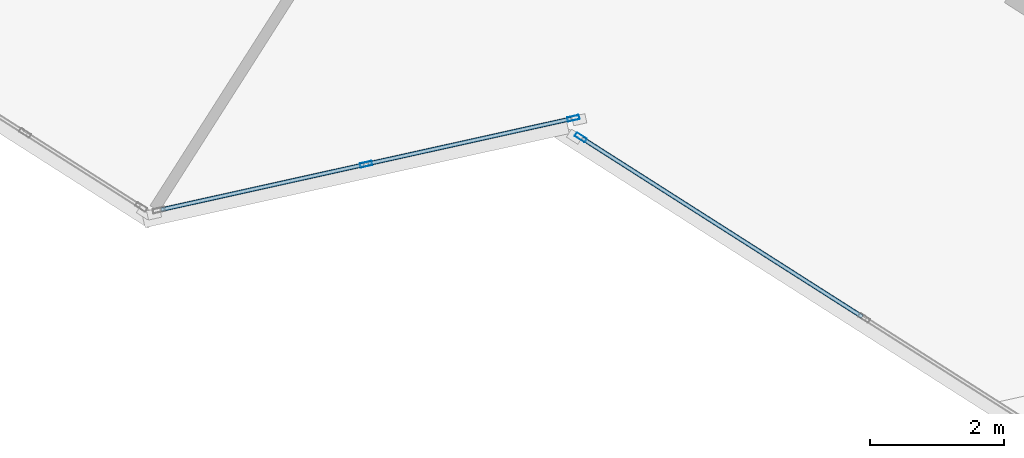
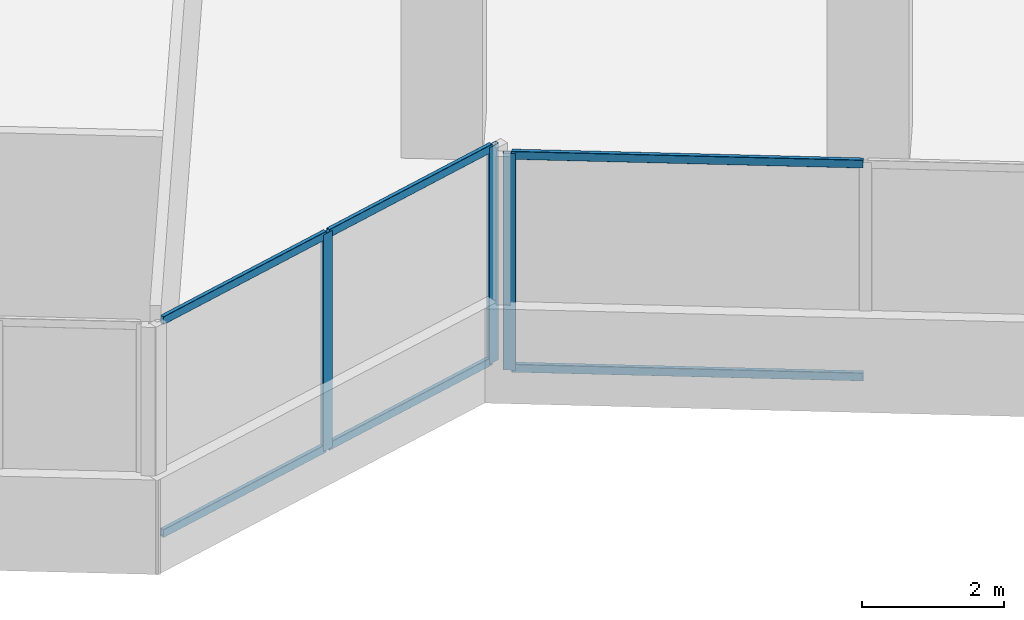
# One storey, part 4 of 23: 9 members, 2 elements without a shape of their own.
"""IFC4 building model written with IfcOpenShell, lengths in metres."""

from ifc_helpers import new_model, si_unit, direction, frame, origin, origin_2d, place, context, subcontext, project, spatial, hollow_rectangle, extrude, source, transform, mapped, material, material_profile, profile_set, type_object, element, aggregate, save


model = new_model("IFC4")

# Units and contexts
model_context = context("Model", 3, precision=1e-05, world=origin(), true_north=direction((0.0, 1.0)))
body_context = subcontext(model_context, "Body", "Model", "MODEL_VIEW")
ifc_project = project(units=[si_unit("LENGTHUNIT", "METRE"), si_unit("AREAUNIT", "SQUARE_METRE"), si_unit("VOLUMEUNIT", "CUBIC_METRE"), si_unit("PLANEANGLEUNIT", "RADIAN"), si_unit("MASSUNIT", "GRAM", prefix="KILO")], contexts=[model_context])

# Site, building, storey
site_placement = place(None, origin())
site = spatial("IfcSite", under=ifc_project, at=site_placement, CompositionType="ELEMENT")
building_placement = place(site_placement, origin())
building = spatial("IfcBuilding", under=site, at=building_placement, Name="Torre Montelarca", CompositionType="ELEMENT")
storey_placement = place(building_placement, frame((0.0, 0.0, 187.60009765625)))
storey = spatial("IfcBuildingStorey", under=building, at=storey_placement, Name="L42", CompositionType="ELEMENT", Elevation=187.60009765625)

# Curtain wall, members
ifc_material_1 = material(Name="Insulated low-E laminated glass", Category="glass")
curtain_wall_type = type_object("IfcCurtainWallType", Name="CW-SYS-Z2", PredefinedType="USERDEFINED", material=ifc_material_1)
curtain_wall_1_placement = place(storey_placement, origin())
curtain_wall_1 = element("IfcCurtainWall", 1, at=curtain_wall_1_placement, inside=storey, type_object=curtain_wall_type, Name="L42 Curtain Wall Run CW-T3-L42-E02-B1", ObjectType="UNITISED GLAZING", PredefinedType="USERDEFINED")
ifc_material_2 = material(Name="Anodised aluminium AA 6063-T6", Category="aluminium")
ifc_material_profile_1 = material_profile(ifc_material_2, hollow_rectangle(XDim=0.06494140625, YDim=0.139892578125, WallThickness=0.00390625, InnerFilletRadius=0.00390625, OuterFilletRadius=0.008056640625, at=origin_2d()), Name="ALU65X140X4", Category="aluminium")
ifc_profile_set_1 = profile_set([ifc_material_profile_1], Name="Anodised aluminium AA 6063-T6")
member_type_1 = type_object("IfcMemberType", Name="CWT-ALU140", PredefinedType="USERDEFINED", material=ifc_profile_set_1)
shared_shape_1 = source(origin(), body_context, "Body", "SweptSolid", [
    extrude(hollow_rectangle(XDim=0.06494140625, YDim=0.139892578125, WallThickness=0.00390625, InnerFilletRadius=0.00390625, OuterFilletRadius=0.008056640625, at=origin_2d()), origin(), (0.0, 0.0, 1.0), 3.1025390625),
])
member_1_placement = place(storey_placement, frame((21.111328125, 10.970458984375, 0.032470703125), z_axis=(0.976288784864, 0.216472188858, 0.0), x_axis=(-0.216472188858, 0.976288784864, 0.0)))
member_1 = element("IfcMember", 2, at=member_1_placement, type_object=member_type_1, Name="CW transom 1.1", ObjectType="TRANSOM", PredefinedType="USERDEFINED", context=body_context, shape_type="MappedRepresentation", body=[
    mapped(shared_shape_1, transform((0.0, 0.0, 0.0), scale=1.0)),
])
member_2_placement = place(storey_placement, frame((21.111328125, 10.970458984375, 3.6875), z_axis=(0.976288784864, 0.216472188858, 0.0), x_axis=(-0.216472188858, 0.976288784864, 0.0)))
member_2 = element("IfcMember", 3, at=member_2_placement, type_object=member_type_1, Name="CW transom 1.2", ObjectType="TRANSOM", PredefinedType="USERDEFINED", context=body_context, shape_type="MappedRepresentation", body=[
    mapped(shared_shape_1, transform((0.0, 0.0, 0.0), scale=1.0)),
])
member_3_placement = place(storey_placement, frame((24.20361328125, 11.65625, 0.032470703125), z_axis=(0.976305412254, 0.216397185758, 0.0), x_axis=(-0.216397185758, 0.976305412254, 0.0)))
member_3 = element("IfcMember", 4, at=member_3_placement, type_object=member_type_1, Name="CW transom 2.1", ObjectType="TRANSOM", PredefinedType="USERDEFINED", context=body_context, shape_type="MappedRepresentation", body=[
    mapped(shared_shape_1, transform((0.0, 0.0, 0.0), scale=1.0)),
])
member_4_placement = place(storey_placement, frame((24.20361328125, 11.65625, 3.6875), z_axis=(0.976305412254, 0.216397185758, 0.0), x_axis=(-0.216397185758, 0.976305412254, 0.0)))
member_4 = element("IfcMember", 5, at=member_4_placement, type_object=member_type_1, Name="CW transom 2.2", ObjectType="TRANSOM", PredefinedType="USERDEFINED", context=body_context, shape_type="MappedRepresentation", body=[
    mapped(shared_shape_1, transform((0.0, 0.0, 0.0), scale=1.0)),
])
ifc_material_profile_2 = material_profile(ifc_material_2, hollow_rectangle(XDim=0.06494140625, YDim=0.179931640625, WallThickness=0.00390625, InnerFilletRadius=0.00390625, OuterFilletRadius=0.008056640625, at=origin_2d()), Name="ALU65X180X4", Category="aluminium")
ifc_profile_set_2 = profile_set([ifc_material_profile_2], Name="Anodised aluminium AA 6063-T6")
member_type_2 = type_object("IfcMemberType", Name="CWM-ALU180", PredefinedType="MULLION", material=ifc_profile_set_2)
shared_shape_2 = source(origin(), body_context, "Body", "SweptSolid", [
    extrude(hollow_rectangle(XDim=0.06494140625, YDim=0.179931640625, WallThickness=0.00390625, InnerFilletRadius=0.00390625, OuterFilletRadius=0.008056640625, at=origin_2d()), origin(), (0.0, 0.0, 1.0), 3.719970703125),
])
member_5_placement = place(storey_placement, frame((24.172119140625, 11.649169921875, 0.0), z_axis=(0.0, 0.0, 1.0), x_axis=(-0.216434114018, 0.976297226407, 0.0)))
member_5 = element("IfcMember", 6, at=member_5_placement, type_object=member_type_2, Name="CW mullion 2", PredefinedType="MULLION", context=body_context, shape_type="MappedRepresentation", body=[
    mapped(shared_shape_2, transform((0.0, 0.0, 0.0), scale=1.0)),
])
member_6_placement = place(storey_placement, frame((27.264404296875, 12.334716796875, 0.0), z_axis=(0.0, 0.0, 1.0), x_axis=(-0.216434114018, 0.976297226407, 0.0)))
member_6 = element("IfcMember", 7, at=member_6_placement, type_object=member_type_2, Name="CW mullion 3", PredefinedType="MULLION", context=body_context, shape_type="MappedRepresentation", body=[
    mapped(shared_shape_2, transform((0.0, 0.0, 0.0), scale=1.0)),
])
aggregate(curtain_wall_1, [member_5, member_6, member_1, member_2, member_3, member_4])

curtain_wall_2_placement = place(storey_placement, origin())
curtain_wall_2 = element("IfcCurtainWall", 8, at=curtain_wall_2_placement, inside=storey, type_object=curtain_wall_type, Name="L42 Curtain Wall Run CW-T3-L42-E04-B1", ObjectType="UNITISED GLAZING", PredefinedType="USERDEFINED")
member_7_placement = place(storey_placement, frame((27.374755859375, 12.049072265625, 0.0), z_axis=(0.0, 0.0, 1.0), x_axis=(0.537310114174, 0.843384752771, 0.0)))
member_7 = element("IfcMember", 9, at=member_7_placement, type_object=member_type_2, Name="CW mullion 1", PredefinedType="MULLION", context=body_context, shape_type="MappedRepresentation", body=[
    mapped(shared_shape_2, transform((0.0, 0.0, 0.0), scale=1.0)),
])
shared_shape_3 = source(origin(), body_context, "Body", "SweptSolid", [
    extrude(hollow_rectangle(XDim=0.06494140625, YDim=0.139892578125, WallThickness=0.00390625, InnerFilletRadius=0.00390625, OuterFilletRadius=0.008056640625, at=origin_2d()), origin(), (0.0, 0.0, 1.0), 4.94873046875),
])
member_8_placement = place(storey_placement, frame((27.402099609375, 12.031494140625, 0.032470703125), z_axis=(0.843399341211, -0.537287214853, 0.0), x_axis=(0.537287214853, 0.843399341211, 0.0)))
member_8 = element("IfcMember", 10, at=member_8_placement, type_object=member_type_1, Name="CW transom 1.1", ObjectType="TRANSOM", PredefinedType="USERDEFINED", context=body_context, shape_type="MappedRepresentation", body=[
    mapped(shared_shape_3, transform((0.0, 0.0, 0.0), scale=1.0)),
])
member_9_placement = place(storey_placement, frame((27.402099609375, 12.031494140625, 3.6875), z_axis=(0.843399341211, -0.537287214853, 0.0), x_axis=(0.537287214853, 0.843399341211, 0.0)))
member_9 = element("IfcMember", 11, at=member_9_placement, type_object=member_type_1, Name="CW transom 1.2", ObjectType="TRANSOM", PredefinedType="USERDEFINED", context=body_context, shape_type="MappedRepresentation", body=[
    mapped(shared_shape_3, transform((0.0, 0.0, 0.0), scale=1.0)),
])
aggregate(curtain_wall_2, [member_7, member_8, member_9])

save(model, "model.ifc")
